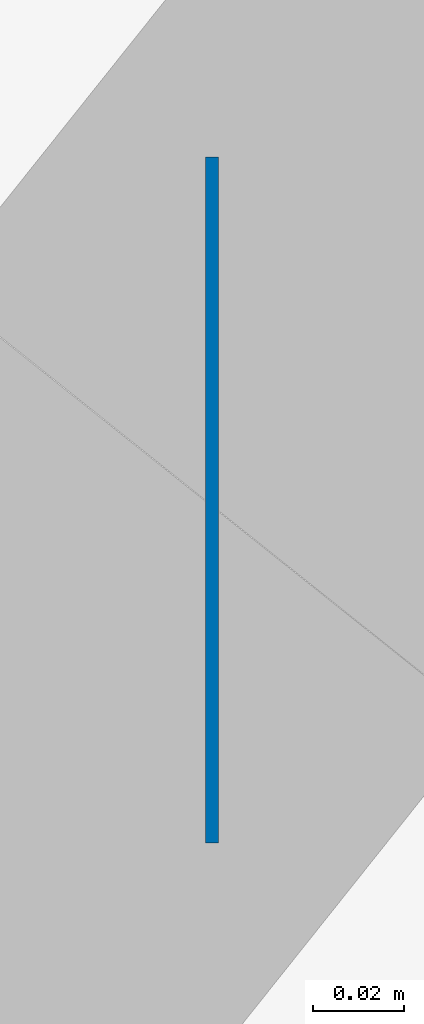
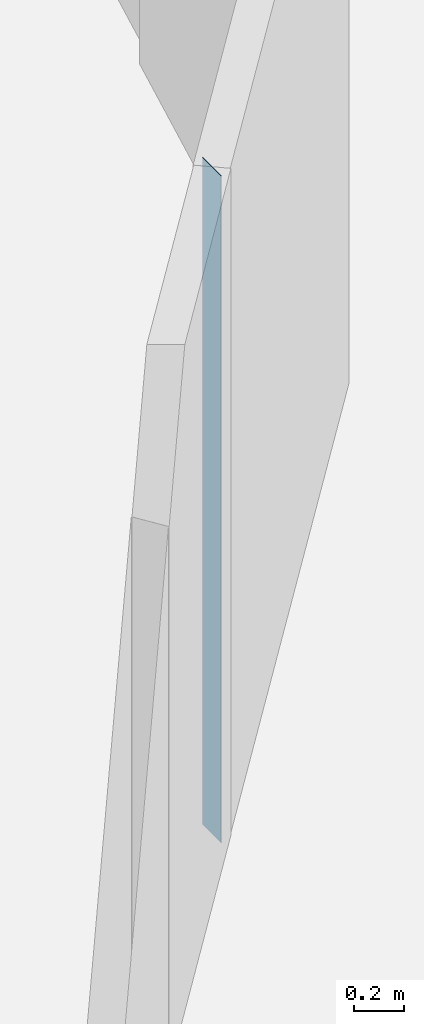
# One storey, part 4 of 12: 1 wall.
"""IFC4 building model written with IfcOpenShell, lengths in metres."""

from ifc_helpers import new_model, si_unit, direction, frame, frame_2d, origin, place, context, subcontext, project, spatial, rectangle, extrude, material, layer, layer_set, type_object, element, save


model = new_model("IFC4")

# Units and contexts
model_context = context("Model", 3, precision=1e-05, world=origin(), true_north=direction((0.0, 1.0)))
body_context = subcontext(model_context, "Body", "Model", "MODEL_VIEW")
ifc_project = project(units=[si_unit("LENGTHUNIT", "METRE"), si_unit("AREAUNIT", "SQUARE_METRE"), si_unit("VOLUMEUNIT", "CUBIC_METRE"), si_unit("PLANEANGLEUNIT", "RADIAN"), si_unit("MASSUNIT", "GRAM", prefix="KILO")], contexts=[model_context])

# Site, building, storey
site_placement = place(None, origin())
site = spatial("IfcSite", under=ifc_project, at=site_placement, CompositionType="ELEMENT")
building_placement = place(site_placement, origin())
building = spatial("IfcBuilding", under=site, at=building_placement, Name="Tracery Tower", CompositionType="ELEMENT")
storey_placement = place(building_placement, frame((0.0, 0.0, 249.0)))
storey = spatial("IfcBuildingStorey", under=building, at=storey_placement, Name="L64", CompositionType="ELEMENT", Elevation=249.0)

# Wall
ifc_material = material(Name="Plasterboard on steel studs", Category="steel")
ifc_layer = layer(ifc_material, 0.14990234375)
ifc_layer_set = layer_set([ifc_layer], Name="Partition 150 corridor wall")
wall_type = type_object("IfcWallType", Name="Partition 150 corridor wall", PredefinedType="PARTITIONING", material=ifc_layer_set)
wall_placement = place(storey_placement, frame((11.136962890625, -8.800048828125, 0.0), z_axis=(0.0, 0.0, 1.0), x_axis=(-1.0, 0.0, 0.0)))
element("IfcWall", 1, at=wall_placement, inside=storey, type_object=wall_type, Name="Corridor wall RC2-018", PredefinedType="PARTITIONING", context=body_context, shape_type="SweptSolid", body=[
    extrude(rectangle(XDim=0.0029296875, YDim=0.14990234375, at=frame_2d((0.00146484375, 0.0))), origin(), (0.0, 0.0, 1.0), 3.25),
])

save(model, "model.ifc")
